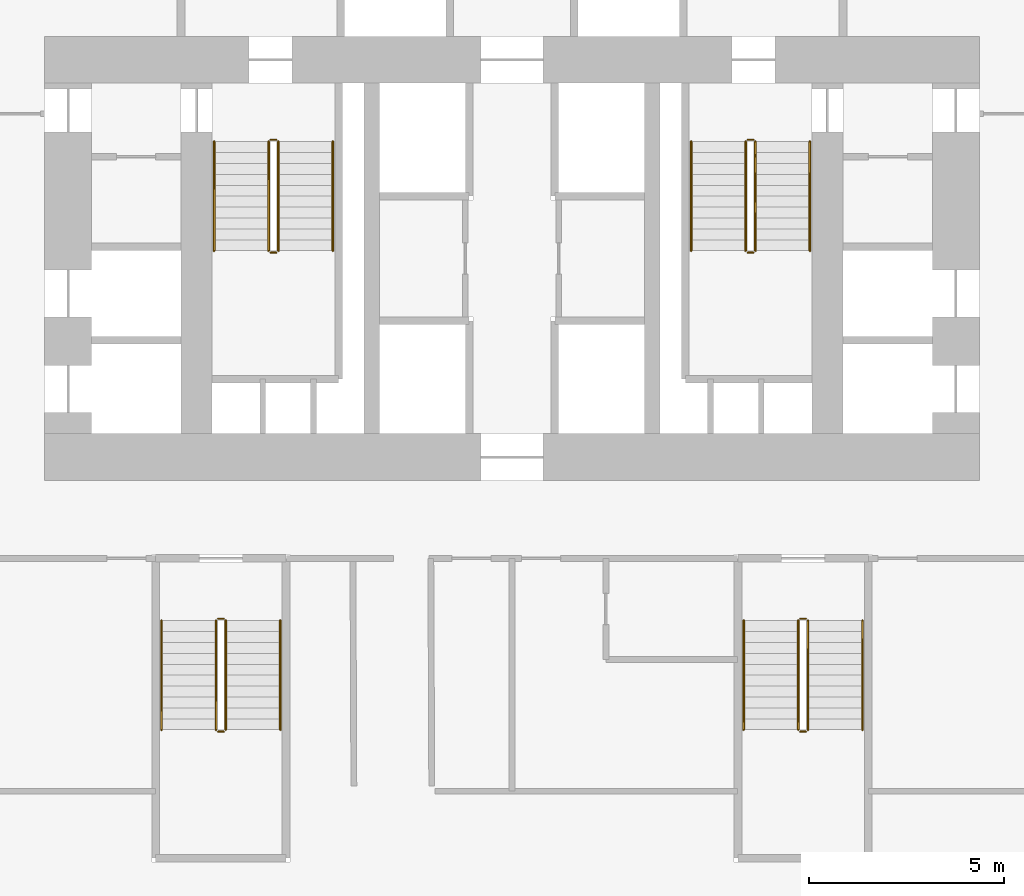
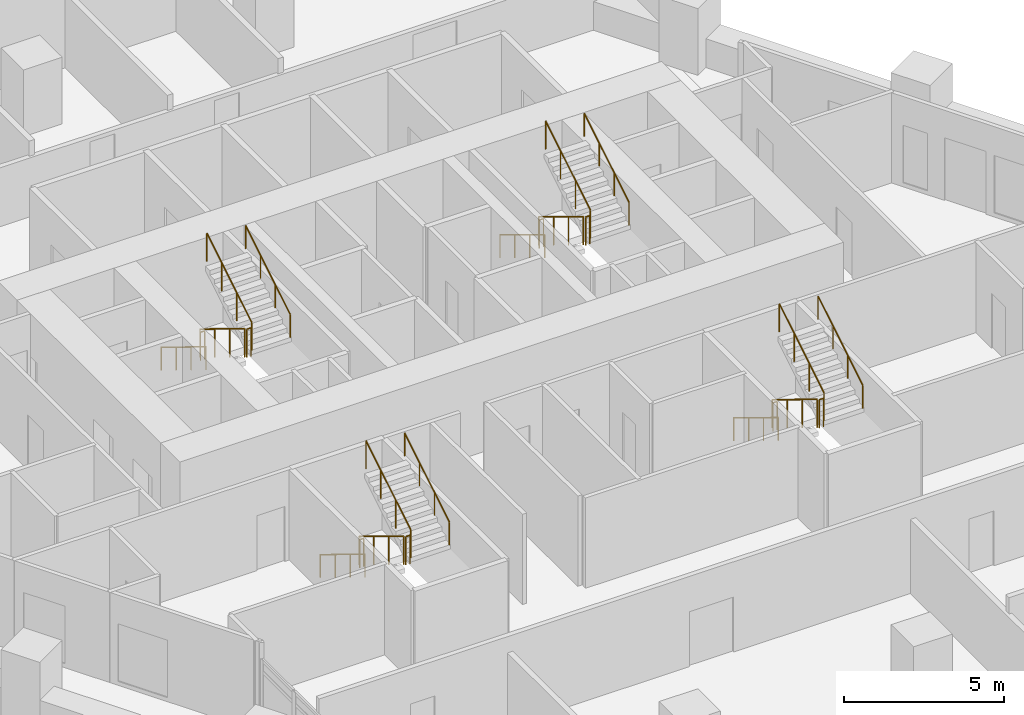
# One storey, part 28 of 28: 24 railings.
"""IFC4 building model written with IfcOpenShell, lengths in metres."""

from ifc_helpers import new_model, si_unit, direction, frame, origin, origin_2d, place, context, subcontext, project, spatial, circle, extrude, material, type_object, element, save


model = new_model("IFC4")

# Units and contexts
model_context = context("Model", 3, precision=1e-05, world=origin(), true_north=direction((0.0, 1.0)))
body_context = subcontext(model_context, "Body", "Model", "MODEL_VIEW")
ifc_project = project(units=[si_unit("LENGTHUNIT", "METRE"), si_unit("AREAUNIT", "SQUARE_METRE"), si_unit("VOLUMEUNIT", "CUBIC_METRE"), si_unit("PLANEANGLEUNIT", "RADIAN"), si_unit("MASSUNIT", "GRAM", prefix="KILO")], contexts=[model_context])

# Site, building, storey
site_placement = place(None, origin())
site = spatial("IfcSite", under=ifc_project, at=site_placement, CompositionType="ELEMENT")
building_placement = place(site_placement, origin())
building = spatial("IfcBuilding", under=site, at=building_placement, Name="Ostrander Bayou Hotel Tower", CompositionType="ELEMENT")
storey_placement = place(building_placement, frame((0.0, 0.0, 76.75)))
storey = spatial("IfcBuildingStorey", under=building, at=storey_placement, Name="L19", CompositionType="ELEMENT", Elevation=76.75)

# Railings
ifc_material_1 = material(Name="Steel ASTM A500 Gr C", Category="steel")
railing_type_1 = type_object("IfcRailingType", Name="GR1 stair guard 1100 mm steel", PredefinedType="GUARDRAIL", material=ifc_material_1)
railing_1_placement = place(storey_placement, frame((-6.25, 7.0, 0.17041015625)))
element("IfcRailing", 1, at=railing_1_placement, inside=storey, type_object=railing_type_1, Name="L19 STA stair guard 1", PredefinedType="GUARDRAIL", context=body_context, shape_type="SweptSolid", body=[
    extrude(circle(Radius=0.02392578125, at=origin_2d()), frame((0.0, 0.0, 1.076171875), z_axis=(0.0, -0.854169791009, 0.51999420009), x_axis=(1.0, 0.0, 0.0)), (0.0, 0.0, 1.0), 3.278076171875),
    extrude(circle(Radius=0.02099609375, at=origin_2d()), origin(), (0.0, 0.0, 1.0), 1.052001953125),
    extrude(circle(Radius=0.02099609375, at=origin_2d()), frame((0.0, -0.933349609375, 0.568115234375)), (0.0, 0.0, 1.0), 1.052001953125),
    extrude(circle(Radius=0.02099609375, at=origin_2d()), frame((0.0, -1.86669921875, 1.136474609375)), (0.0, 0.0, 1.0), 1.052001953125),
    extrude(circle(Radius=0.02099609375, at=origin_2d()), frame((0.0, -2.800048828125, 1.70458984375)), (0.0, 0.0, 1.0), 1.052001953125),
])
railing_2_placement = place(storey_placement, frame((-6.199951171875, 4.14990234375, 1.875)))
element("IfcRailing", 2, at=railing_2_placement, inside=storey, type_object=railing_type_1, Name="L19 STA stair guard 2", PredefinedType="GUARDRAIL", context=body_context, shape_type="SweptSolid", body=[
    extrude(circle(Radius=0.02392578125, at=origin_2d()), frame((0.0, 0.0, 1.076171875), z_axis=(1.0, 0.0, 0.0), x_axis=(0.0, 1.0, 0.0)), (0.0, 0.0, 1.0), 0.14990234375),
    extrude(circle(Radius=0.02099609375, at=origin_2d()), origin(), (0.0, 0.0, 1.0), 1.052001953125),
    extrude(circle(Radius=0.02099609375, at=origin_2d()), frame((0.14990234375, 0.0, 0.0)), (0.0, 0.0, 1.0), 1.052001953125),
])
railing_3_placement = place(storey_placement, frame((-6.0, 4.199951171875, 2.04541015625)))
element("IfcRailing", 3, at=railing_3_placement, inside=storey, type_object=railing_type_1, Name="L19 STA stair guard 3", PredefinedType="GUARDRAIL", context=body_context, shape_type="SweptSolid", body=[
    extrude(circle(Radius=0.02392578125, at=origin_2d()), frame((0.0, 0.0, 1.076171875), z_axis=(0.0, 0.854169791009, 0.51999420009), x_axis=(-1.0, 0.0, 0.0)), (0.0, 0.0, 1.0), 3.278076171875),
    extrude(circle(Radius=0.02099609375, at=origin_2d()), origin(), (0.0, 0.0, 1.0), 1.052001953125),
    extrude(circle(Radius=0.02099609375, at=origin_2d()), frame((0.0, 0.933349609375, 0.568115234375)), (0.0, 0.0, 1.0), 1.052001953125),
    extrude(circle(Radius=0.02099609375, at=origin_2d()), frame((0.0, 1.86669921875, 1.136474609375)), (0.0, 0.0, 1.0), 1.052001953125),
    extrude(circle(Radius=0.02099609375, at=origin_2d()), frame((0.0, 2.800048828125, 1.70458984375)), (0.0, 0.0, 1.0), 1.052001953125),
])
railing_4_placement = place(storey_placement, frame((-6.199951171875, 7.050048828125, 0.0)))
element("IfcRailing", 4, at=railing_4_placement, inside=storey, type_object=railing_type_1, Name="L19 STA stair guard 4", PredefinedType="GUARDRAIL", context=body_context, shape_type="SweptSolid", body=[
    extrude(circle(Radius=0.02392578125, at=origin_2d()), frame((0.0, 0.0, 1.076171875), z_axis=(1.0, 0.0, 0.0), x_axis=(0.0, 1.0, 0.0)), (0.0, 0.0, 1.0), 0.14990234375),
    extrude(circle(Radius=0.02099609375, at=origin_2d()), origin(), (0.0, 0.0, 1.0), 1.052001953125),
    extrude(circle(Radius=0.02099609375, at=origin_2d()), frame((0.14990234375, 0.0, 0.0)), (0.0, 0.0, 1.0), 1.052001953125),
])
railing_5_placement = place(storey_placement, frame((6.0, 7.0, 0.17041015625)))
element("IfcRailing", 5, at=railing_5_placement, inside=storey, type_object=railing_type_1, Name="L19 STB stair guard 1", PredefinedType="GUARDRAIL", context=body_context, shape_type="SweptSolid", body=[
    extrude(circle(Radius=0.02392578125, at=origin_2d()), frame((0.0, 0.0, 1.076171875), z_axis=(0.0, -0.854169791009, 0.51999420009), x_axis=(1.0, 0.0, 0.0)), (0.0, 0.0, 1.0), 3.278076171875),
    extrude(circle(Radius=0.02099609375, at=origin_2d()), origin(), (0.0, 0.0, 1.0), 1.052001953125),
    extrude(circle(Radius=0.02099609375, at=origin_2d()), frame((0.0, -0.933349609375, 0.568115234375)), (0.0, 0.0, 1.0), 1.052001953125),
    extrude(circle(Radius=0.02099609375, at=origin_2d()), frame((0.0, -1.86669921875, 1.136474609375)), (0.0, 0.0, 1.0), 1.052001953125),
    extrude(circle(Radius=0.02099609375, at=origin_2d()), frame((0.0, -2.800048828125, 1.70458984375)), (0.0, 0.0, 1.0), 1.052001953125),
])
railing_6_placement = place(storey_placement, frame((6.050048828125, 4.14990234375, 1.875)))
element("IfcRailing", 6, at=railing_6_placement, inside=storey, type_object=railing_type_1, Name="L19 STB stair guard 2", PredefinedType="GUARDRAIL", context=body_context, shape_type="SweptSolid", body=[
    extrude(circle(Radius=0.02392578125, at=origin_2d()), frame((0.0, 0.0, 1.076171875), z_axis=(1.0, 0.0, 0.0), x_axis=(0.0, 1.0, 0.0)), (0.0, 0.0, 1.0), 0.14990234375),
    extrude(circle(Radius=0.02099609375, at=origin_2d()), origin(), (0.0, 0.0, 1.0), 1.052001953125),
    extrude(circle(Radius=0.02099609375, at=origin_2d()), frame((0.14990234375, 0.0, 0.0)), (0.0, 0.0, 1.0), 1.052001953125),
])
railing_7_placement = place(storey_placement, frame((6.25, 4.199951171875, 2.04541015625)))
element("IfcRailing", 7, at=railing_7_placement, inside=storey, type_object=railing_type_1, Name="L19 STB stair guard 3", PredefinedType="GUARDRAIL", context=body_context, shape_type="SweptSolid", body=[
    extrude(circle(Radius=0.02392578125, at=origin_2d()), frame((0.0, 0.0, 1.076171875), z_axis=(0.0, 0.854169791009, 0.51999420009), x_axis=(-1.0, 0.0, 0.0)), (0.0, 0.0, 1.0), 3.278076171875),
    extrude(circle(Radius=0.02099609375, at=origin_2d()), origin(), (0.0, 0.0, 1.0), 1.052001953125),
    extrude(circle(Radius=0.02099609375, at=origin_2d()), frame((0.0, 0.933349609375, 0.568115234375)), (0.0, 0.0, 1.0), 1.052001953125),
    extrude(circle(Radius=0.02099609375, at=origin_2d()), frame((0.0, 1.86669921875, 1.136474609375)), (0.0, 0.0, 1.0), 1.052001953125),
    extrude(circle(Radius=0.02099609375, at=origin_2d()), frame((0.0, 2.800048828125, 1.70458984375)), (0.0, 0.0, 1.0), 1.052001953125),
])
railing_8_placement = place(storey_placement, frame((6.050048828125, 7.050048828125, 0.0)))
element("IfcRailing", 8, at=railing_8_placement, inside=storey, type_object=railing_type_1, Name="L19 STB stair guard 4", PredefinedType="GUARDRAIL", context=body_context, shape_type="SweptSolid", body=[
    extrude(circle(Radius=0.02392578125, at=origin_2d()), frame((0.0, 0.0, 1.076171875), z_axis=(1.0, 0.0, 0.0), x_axis=(0.0, 1.0, 0.0)), (0.0, 0.0, 1.0), 0.14990234375),
    extrude(circle(Radius=0.02099609375, at=origin_2d()), origin(), (0.0, 0.0, 1.0), 1.052001953125),
    extrude(circle(Radius=0.02099609375, at=origin_2d()), frame((0.14990234375, 0.0, 0.0)), (0.0, 0.0, 1.0), 1.052001953125),
])
railing_9_placement = place(storey_placement, frame((7.35009765625, -5.300048828125, 0.17041015625)))
element("IfcRailing", 9, at=railing_9_placement, inside=storey, type_object=railing_type_1, Name="L19 STC stair guard 1", PredefinedType="GUARDRAIL", context=body_context, shape_type="SweptSolid", body=[
    extrude(circle(Radius=0.02392578125, at=origin_2d()), frame((0.0, 0.0, 1.076171875), z_axis=(0.0, -0.854169791009, 0.51999420009), x_axis=(1.0, 0.0, 0.0)), (0.0, 0.0, 1.0), 3.278076171875),
    extrude(circle(Radius=0.02099609375, at=origin_2d()), origin(), (0.0, 0.0, 1.0), 1.052001953125),
    extrude(circle(Radius=0.02099609375, at=origin_2d()), frame((0.0, -0.933349609375, 0.568115234375)), (0.0, 0.0, 1.0), 1.052001953125),
    extrude(circle(Radius=0.02099609375, at=origin_2d()), frame((0.0, -1.86669921875, 1.136474609375)), (0.0, 0.0, 1.0), 1.052001953125),
    extrude(circle(Radius=0.02099609375, at=origin_2d()), frame((0.0, -2.800048828125, 1.70458984375)), (0.0, 0.0, 1.0), 1.052001953125),
])
railing_10_placement = place(storey_placement, frame((7.39990234375, -8.14990234375, 1.875)))
element("IfcRailing", 10, at=railing_10_placement, inside=storey, type_object=railing_type_1, Name="L19 STC stair guard 2", PredefinedType="GUARDRAIL", context=body_context, shape_type="SweptSolid", body=[
    extrude(circle(Radius=0.02392578125, at=origin_2d()), frame((0.0, 0.0, 1.076171875), z_axis=(1.0, 0.0, 0.0), x_axis=(0.0, 1.0, 0.0)), (0.0, 0.0, 1.0), 0.150146484375),
    extrude(circle(Radius=0.02099609375, at=origin_2d()), origin(), (0.0, 0.0, 1.0), 1.052001953125),
    extrude(circle(Radius=0.02099609375, at=origin_2d()), frame((0.150146484375, 0.0, 0.0)), (0.0, 0.0, 1.0), 1.052001953125),
])
railing_11_placement = place(storey_placement, frame((7.60009765625, -8.10009765625, 2.04541015625)))
element("IfcRailing", 11, at=railing_11_placement, inside=storey, type_object=railing_type_1, Name="L19 STC stair guard 3", PredefinedType="GUARDRAIL", context=body_context, shape_type="SweptSolid", body=[
    extrude(circle(Radius=0.02392578125, at=origin_2d()), frame((0.0, 0.0, 1.076171875), z_axis=(0.0, 0.854169791009, 0.51999420009), x_axis=(-1.0, 0.0, 0.0)), (0.0, 0.0, 1.0), 3.278076171875),
    extrude(circle(Radius=0.02099609375, at=origin_2d()), origin(), (0.0, 0.0, 1.0), 1.052001953125),
    extrude(circle(Radius=0.02099609375, at=origin_2d()), frame((0.0, 0.933349609375, 0.568115234375)), (0.0, 0.0, 1.0), 1.052001953125),
    extrude(circle(Radius=0.02099609375, at=origin_2d()), frame((0.0, 1.86669921875, 1.136474609375)), (0.0, 0.0, 1.0), 1.052001953125),
    extrude(circle(Radius=0.02099609375, at=origin_2d()), frame((0.0, 2.800048828125, 1.70458984375)), (0.0, 0.0, 1.0), 1.052001953125),
])
railing_12_placement = place(storey_placement, frame((7.39990234375, -5.25, 0.0)))
element("IfcRailing", 12, at=railing_12_placement, inside=storey, type_object=railing_type_1, Name="L19 STC stair guard 4", PredefinedType="GUARDRAIL", context=body_context, shape_type="SweptSolid", body=[
    extrude(circle(Radius=0.02392578125, at=origin_2d()), frame((0.0, 0.0, 1.076171875), z_axis=(1.0, 0.0, 0.0), x_axis=(0.0, 1.0, 0.0)), (0.0, 0.0, 1.0), 0.150146484375),
    extrude(circle(Radius=0.02099609375, at=origin_2d()), origin(), (0.0, 0.0, 1.0), 1.052001953125),
    extrude(circle(Radius=0.02099609375, at=origin_2d()), frame((0.150146484375, 0.0, 0.0)), (0.0, 0.0, 1.0), 1.052001953125),
])
railing_13_placement = place(storey_placement, frame((-7.60009765625, -5.300048828125, 0.17041015625)))
element("IfcRailing", 13, at=railing_13_placement, inside=storey, type_object=railing_type_1, Name="L19 STD stair guard 1", PredefinedType="GUARDRAIL", context=body_context, shape_type="SweptSolid", body=[
    extrude(circle(Radius=0.02392578125, at=origin_2d()), frame((0.0, 0.0, 1.076171875), z_axis=(0.0, -0.854169791009, 0.51999420009), x_axis=(1.0, 0.0, 0.0)), (0.0, 0.0, 1.0), 3.278076171875),
    extrude(circle(Radius=0.02099609375, at=origin_2d()), origin(), (0.0, 0.0, 1.0), 1.052001953125),
    extrude(circle(Radius=0.02099609375, at=origin_2d()), frame((0.0, -0.933349609375, 0.568115234375)), (0.0, 0.0, 1.0), 1.052001953125),
    extrude(circle(Radius=0.02099609375, at=origin_2d()), frame((0.0, -1.86669921875, 1.136474609375)), (0.0, 0.0, 1.0), 1.052001953125),
    extrude(circle(Radius=0.02099609375, at=origin_2d()), frame((0.0, -2.800048828125, 1.70458984375)), (0.0, 0.0, 1.0), 1.052001953125),
])
railing_14_placement = place(storey_placement, frame((-7.550048828125, -8.14990234375, 1.875)))
element("IfcRailing", 14, at=railing_14_placement, inside=storey, type_object=railing_type_1, Name="L19 STD stair guard 2", PredefinedType="GUARDRAIL", context=body_context, shape_type="SweptSolid", body=[
    extrude(circle(Radius=0.02392578125, at=origin_2d()), frame((0.0, 0.0, 1.076171875), z_axis=(1.0, 0.0, 0.0), x_axis=(0.0, 1.0, 0.0)), (0.0, 0.0, 1.0), 0.150146484375),
    extrude(circle(Radius=0.02099609375, at=origin_2d()), origin(), (0.0, 0.0, 1.0), 1.052001953125),
    extrude(circle(Radius=0.02099609375, at=origin_2d()), frame((0.150146484375, 0.0, 0.0)), (0.0, 0.0, 1.0), 1.052001953125),
])
railing_15_placement = place(storey_placement, frame((-7.35009765625, -8.10009765625, 2.04541015625)))
element("IfcRailing", 15, at=railing_15_placement, inside=storey, type_object=railing_type_1, Name="L19 STD stair guard 3", PredefinedType="GUARDRAIL", context=body_context, shape_type="SweptSolid", body=[
    extrude(circle(Radius=0.02392578125, at=origin_2d()), frame((0.0, 0.0, 1.076171875), z_axis=(0.0, 0.854169791009, 0.51999420009), x_axis=(-1.0, 0.0, 0.0)), (0.0, 0.0, 1.0), 3.278076171875),
    extrude(circle(Radius=0.02099609375, at=origin_2d()), origin(), (0.0, 0.0, 1.0), 1.052001953125),
    extrude(circle(Radius=0.02099609375, at=origin_2d()), frame((0.0, 0.933349609375, 0.568115234375)), (0.0, 0.0, 1.0), 1.052001953125),
    extrude(circle(Radius=0.02099609375, at=origin_2d()), frame((0.0, 1.86669921875, 1.136474609375)), (0.0, 0.0, 1.0), 1.052001953125),
    extrude(circle(Radius=0.02099609375, at=origin_2d()), frame((0.0, 2.800048828125, 1.70458984375)), (0.0, 0.0, 1.0), 1.052001953125),
])
railing_16_placement = place(storey_placement, frame((-7.550048828125, -5.25, 0.0)))
element("IfcRailing", 16, at=railing_16_placement, inside=storey, type_object=railing_type_1, Name="L19 STD stair guard 4", PredefinedType="GUARDRAIL", context=body_context, shape_type="SweptSolid", body=[
    extrude(circle(Radius=0.02392578125, at=origin_2d()), frame((0.0, 0.0, 1.076171875), z_axis=(1.0, 0.0, 0.0), x_axis=(0.0, 1.0, 0.0)), (0.0, 0.0, 1.0), 0.150146484375),
    extrude(circle(Radius=0.02099609375, at=origin_2d()), origin(), (0.0, 0.0, 1.0), 1.052001953125),
    extrude(circle(Radius=0.02099609375, at=origin_2d()), frame((0.150146484375, 0.0, 0.0)), (0.0, 0.0, 1.0), 1.052001953125),
])
ifc_material_2 = material(Name="Steel ASTM A500 Gr C", Category="steel")
railing_type_2 = type_object("IfcRailingType", Name="HR1 stair handrail 900 mm steel", PredefinedType="HANDRAIL", material=ifc_material_2)
railing_17_placement = place(storey_placement, frame((-7.64990234375, 7.0, 0.17041015625)))
element("IfcRailing", 17, at=railing_17_placement, inside=storey, type_object=railing_type_2, Name="L19 STA stair handrail 1", PredefinedType="HANDRAIL", context=body_context, shape_type="SweptSolid", body=[
    extrude(circle(Radius=0.02392578125, at=origin_2d()), frame((0.0, 0.0, 0.8759765625), z_axis=(0.0, -0.854169791009, 0.51999420009), x_axis=(1.0, 0.0, 0.0)), (0.0, 0.0, 1.0), 3.278076171875),
    extrude(circle(Radius=0.02099609375, at=origin_2d()), origin(), (0.0, 0.0, 1.0), 0.851806640625),
    extrude(circle(Radius=0.02099609375, at=origin_2d()), frame((0.0, -0.933349609375, 0.568115234375)), (0.0, 0.0, 1.0), 0.851806640625),
    extrude(circle(Radius=0.02099609375, at=origin_2d()), frame((0.0, -1.86669921875, 1.136474609375)), (0.0, 0.0, 1.0), 0.851806640625),
    extrude(circle(Radius=0.02099609375, at=origin_2d()), frame((0.0, -2.800048828125, 1.70458984375)), (0.0, 0.0, 1.0), 0.851806640625),
])
railing_18_placement = place(storey_placement, frame((-4.60009765625, 4.199951171875, 2.04541015625)))
element("IfcRailing", 18, at=railing_18_placement, inside=storey, type_object=railing_type_2, Name="L19 STA stair handrail 2", PredefinedType="HANDRAIL", context=body_context, shape_type="SweptSolid", body=[
    extrude(circle(Radius=0.02392578125, at=origin_2d()), frame((0.0, 0.0, 0.8759765625), z_axis=(0.0, 0.854169791009, 0.51999420009), x_axis=(-1.0, 0.0, 0.0)), (0.0, 0.0, 1.0), 3.278076171875),
    extrude(circle(Radius=0.02099609375, at=origin_2d()), origin(), (0.0, 0.0, 1.0), 0.851806640625),
    extrude(circle(Radius=0.02099609375, at=origin_2d()), frame((0.0, 0.933349609375, 0.568115234375)), (0.0, 0.0, 1.0), 0.851806640625),
    extrude(circle(Radius=0.02099609375, at=origin_2d()), frame((0.0, 1.86669921875, 1.136474609375)), (0.0, 0.0, 1.0), 0.851806640625),
    extrude(circle(Radius=0.02099609375, at=origin_2d()), frame((0.0, 2.800048828125, 1.70458984375)), (0.0, 0.0, 1.0), 0.851806640625),
])
railing_19_placement = place(storey_placement, frame((4.60009765625, 7.0, 0.17041015625)))
element("IfcRailing", 19, at=railing_19_placement, inside=storey, type_object=railing_type_2, Name="L19 STB stair handrail 1", PredefinedType="HANDRAIL", context=body_context, shape_type="SweptSolid", body=[
    extrude(circle(Radius=0.02392578125, at=origin_2d()), frame((0.0, 0.0, 0.8759765625), z_axis=(0.0, -0.854169791009, 0.51999420009), x_axis=(1.0, 0.0, 0.0)), (0.0, 0.0, 1.0), 3.278076171875),
    extrude(circle(Radius=0.02099609375, at=origin_2d()), origin(), (0.0, 0.0, 1.0), 0.851806640625),
    extrude(circle(Radius=0.02099609375, at=origin_2d()), frame((0.0, -0.933349609375, 0.568115234375)), (0.0, 0.0, 1.0), 0.851806640625),
    extrude(circle(Radius=0.02099609375, at=origin_2d()), frame((0.0, -1.86669921875, 1.136474609375)), (0.0, 0.0, 1.0), 0.851806640625),
    extrude(circle(Radius=0.02099609375, at=origin_2d()), frame((0.0, -2.800048828125, 1.70458984375)), (0.0, 0.0, 1.0), 0.851806640625),
])
railing_20_placement = place(storey_placement, frame((7.64990234375, 4.199951171875, 2.04541015625)))
element("IfcRailing", 20, at=railing_20_placement, inside=storey, type_object=railing_type_2, Name="L19 STB stair handrail 2", PredefinedType="HANDRAIL", context=body_context, shape_type="SweptSolid", body=[
    extrude(circle(Radius=0.02392578125, at=origin_2d()), frame((0.0, 0.0, 0.8759765625), z_axis=(0.0, 0.854169791009, 0.51999420009), x_axis=(-1.0, 0.0, 0.0)), (0.0, 0.0, 1.0), 3.278076171875),
    extrude(circle(Radius=0.02099609375, at=origin_2d()), origin(), (0.0, 0.0, 1.0), 0.851806640625),
    extrude(circle(Radius=0.02099609375, at=origin_2d()), frame((0.0, 0.933349609375, 0.568115234375)), (0.0, 0.0, 1.0), 0.851806640625),
    extrude(circle(Radius=0.02099609375, at=origin_2d()), frame((0.0, 1.86669921875, 1.136474609375)), (0.0, 0.0, 1.0), 0.851806640625),
    extrude(circle(Radius=0.02099609375, at=origin_2d()), frame((0.0, 2.800048828125, 1.70458984375)), (0.0, 0.0, 1.0), 0.851806640625),
])
railing_21_placement = place(storey_placement, frame((5.949951171875, -5.300048828125, 0.17041015625)))
element("IfcRailing", 21, at=railing_21_placement, inside=storey, type_object=railing_type_2, Name="L19 STC stair handrail 1", PredefinedType="HANDRAIL", context=body_context, shape_type="SweptSolid", body=[
    extrude(circle(Radius=0.02392578125, at=origin_2d()), frame((0.0, 0.0, 0.8759765625), z_axis=(0.0, -0.854169791009, 0.51999420009), x_axis=(1.0, 0.0, 0.0)), (0.0, 0.0, 1.0), 3.278076171875),
    extrude(circle(Radius=0.02099609375, at=origin_2d()), origin(), (0.0, 0.0, 1.0), 0.851806640625),
    extrude(circle(Radius=0.02099609375, at=origin_2d()), frame((0.0, -0.933349609375, 0.568115234375)), (0.0, 0.0, 1.0), 0.851806640625),
    extrude(circle(Radius=0.02099609375, at=origin_2d()), frame((0.0, -1.86669921875, 1.136474609375)), (0.0, 0.0, 1.0), 0.851806640625),
    extrude(circle(Radius=0.02099609375, at=origin_2d()), frame((0.0, -2.800048828125, 1.70458984375)), (0.0, 0.0, 1.0), 0.851806640625),
])
railing_22_placement = place(storey_placement, frame((9.0, -8.10009765625, 2.04541015625)))
element("IfcRailing", 22, at=railing_22_placement, inside=storey, type_object=railing_type_2, Name="L19 STC stair handrail 2", PredefinedType="HANDRAIL", context=body_context, shape_type="SweptSolid", body=[
    extrude(circle(Radius=0.02392578125, at=origin_2d()), frame((0.0, 0.0, 0.8759765625), z_axis=(0.0, 0.854169791009, 0.51999420009), x_axis=(-1.0, 0.0, 0.0)), (0.0, 0.0, 1.0), 3.278076171875),
    extrude(circle(Radius=0.02099609375, at=origin_2d()), origin(), (0.0, 0.0, 1.0), 0.851806640625),
    extrude(circle(Radius=0.02099609375, at=origin_2d()), frame((0.0, 0.933349609375, 0.568115234375)), (0.0, 0.0, 1.0), 0.851806640625),
    extrude(circle(Radius=0.02099609375, at=origin_2d()), frame((0.0, 1.86669921875, 1.136474609375)), (0.0, 0.0, 1.0), 0.851806640625),
    extrude(circle(Radius=0.02099609375, at=origin_2d()), frame((0.0, 2.800048828125, 1.70458984375)), (0.0, 0.0, 1.0), 0.851806640625),
])
railing_23_placement = place(storey_placement, frame((-9.0, -5.300048828125, 0.17041015625)))
element("IfcRailing", 23, at=railing_23_placement, inside=storey, type_object=railing_type_2, Name="L19 STD stair handrail 1", PredefinedType="HANDRAIL", context=body_context, shape_type="SweptSolid", body=[
    extrude(circle(Radius=0.02392578125, at=origin_2d()), frame((0.0, 0.0, 0.8759765625), z_axis=(0.0, -0.854169791009, 0.51999420009), x_axis=(1.0, 0.0, 0.0)), (0.0, 0.0, 1.0), 3.278076171875),
    extrude(circle(Radius=0.02099609375, at=origin_2d()), origin(), (0.0, 0.0, 1.0), 0.851806640625),
    extrude(circle(Radius=0.02099609375, at=origin_2d()), frame((0.0, -0.933349609375, 0.568115234375)), (0.0, 0.0, 1.0), 0.851806640625),
    extrude(circle(Radius=0.02099609375, at=origin_2d()), frame((0.0, -1.86669921875, 1.136474609375)), (0.0, 0.0, 1.0), 0.851806640625),
    extrude(circle(Radius=0.02099609375, at=origin_2d()), frame((0.0, -2.800048828125, 1.70458984375)), (0.0, 0.0, 1.0), 0.851806640625),
])
railing_24_placement = place(storey_placement, frame((-5.949951171875, -8.10009765625, 2.04541015625)))
element("IfcRailing", 24, at=railing_24_placement, inside=storey, type_object=railing_type_2, Name="L19 STD stair handrail 2", PredefinedType="HANDRAIL", context=body_context, shape_type="SweptSolid", body=[
    extrude(circle(Radius=0.02392578125, at=origin_2d()), frame((0.0, 0.0, 0.8759765625), z_axis=(0.0, 0.854169791009, 0.51999420009), x_axis=(-1.0, 0.0, 0.0)), (0.0, 0.0, 1.0), 3.278076171875),
    extrude(circle(Radius=0.02099609375, at=origin_2d()), origin(), (0.0, 0.0, 1.0), 0.851806640625),
    extrude(circle(Radius=0.02099609375, at=origin_2d()), frame((0.0, 0.933349609375, 0.568115234375)), (0.0, 0.0, 1.0), 0.851806640625),
    extrude(circle(Radius=0.02099609375, at=origin_2d()), frame((0.0, 1.86669921875, 1.136474609375)), (0.0, 0.0, 1.0), 0.851806640625),
    extrude(circle(Radius=0.02099609375, at=origin_2d()), frame((0.0, 2.800048828125, 1.70458984375)), (0.0, 0.0, 1.0), 0.851806640625),
])

save(model, "model.ifc")
